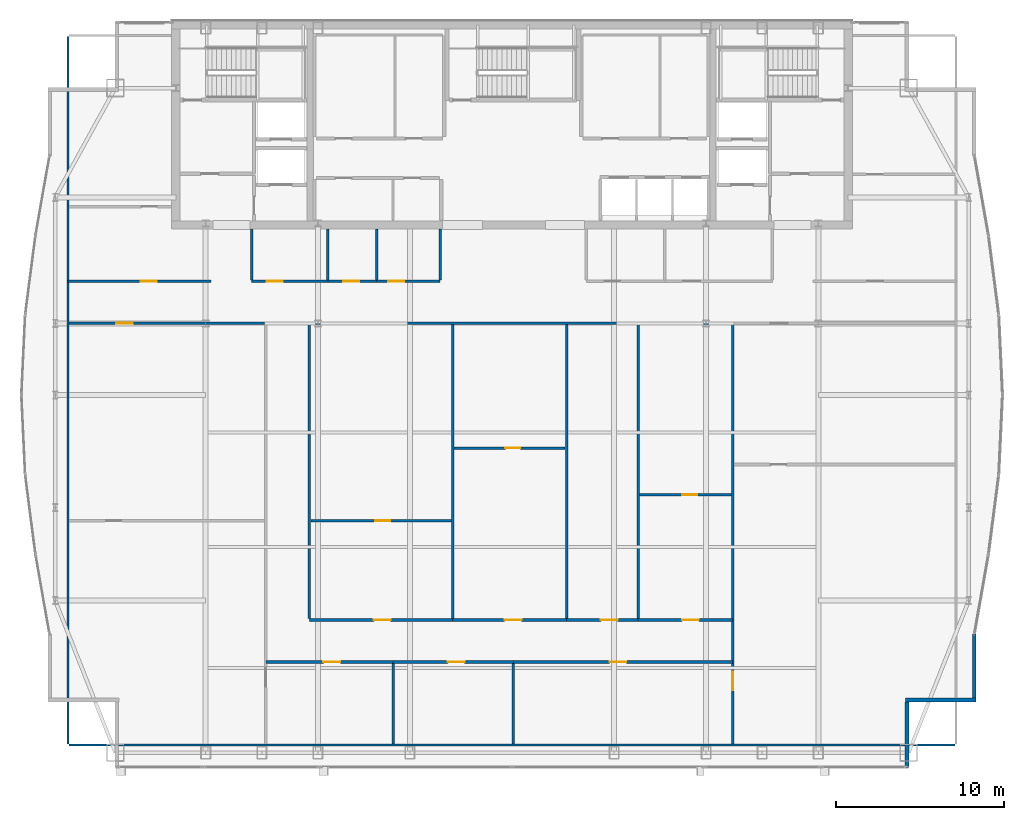
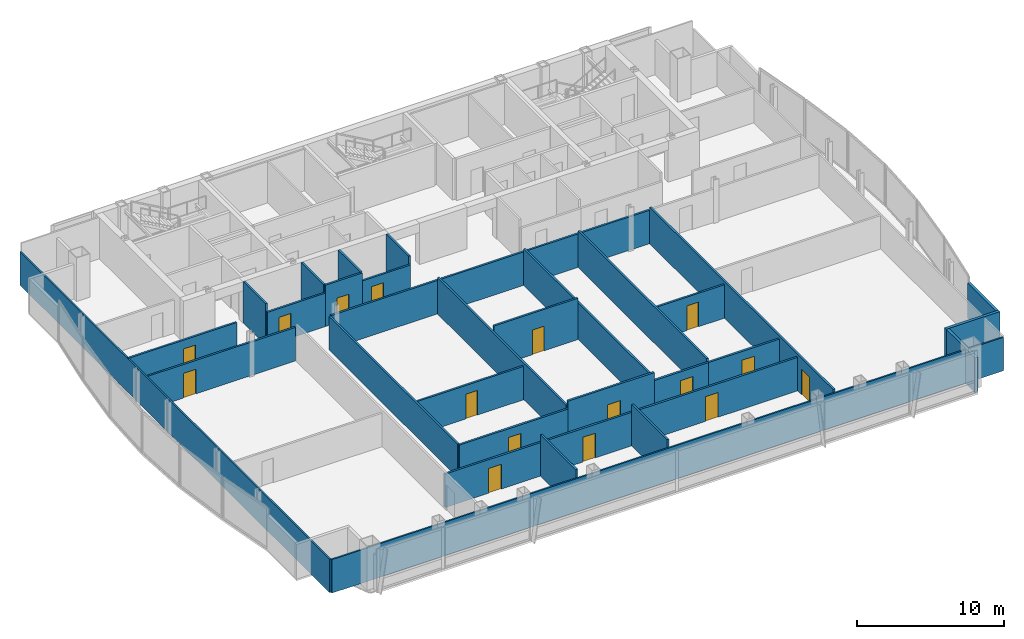
# One storey, part 25 of 30: 32 walls, 16 doors, 16 openings.
"""IFC4 building model written with IfcOpenShell, lengths in metres."""

from ifc_helpers import new_model, si_unit, direction, frame, frame_2d, origin, place, context, subcontext, project, spatial, rectangle, extrude, material, layer, layer_set, type_object, element, fill, save


model = new_model("IFC4")

# Units and contexts
model_context = context("Model", 3, precision=1e-05, world=origin(), true_north=direction((0.0, 1.0)))
body_context = subcontext(model_context, "Body", "Model", "MODEL_VIEW")
ifc_project = project(units=[si_unit("LENGTHUNIT", "METRE"), si_unit("AREAUNIT", "SQUARE_METRE"), si_unit("VOLUMEUNIT", "CUBIC_METRE"), si_unit("PLANEANGLEUNIT", "RADIAN"), si_unit("MASSUNIT", "GRAM", prefix="KILO")], contexts=[model_context])

# Site, building, storey
site_placement = place(None, origin())
site = spatial("IfcSite", under=ifc_project, at=site_placement, CompositionType="ELEMENT")
building_placement = place(site_placement, origin())
building = spatial("IfcBuilding", under=site, at=building_placement, Name="Khoronbel Lancet Exchange", CompositionType="ELEMENT")
storey_placement = place(building_placement, frame((0.0, 0.0, 277.0)))
storey = spatial("IfcBuildingStorey", under=building, at=storey_placement, Name="L71", CompositionType="ELEMENT", Elevation=277.0)

# Walls
ifc_material_1 = material(Name="Precast concrete C40/50", Category="concrete")
ifc_layer_1 = layer(ifc_material_1, 0.25, Name="Precast concrete C40/50")
ifc_layer_set_1 = layer_set([ifc_layer_1], Name="Precast concrete C40/50")
wall_type_1 = type_object("IfcWallType", Name="WL-EXT250", PredefinedType="SOLIDWALL", material=ifc_layer_set_1)
wall_1_placement = place(storey_placement, frame((63.9599609375, 17.227783203125, 0.0), z_axis=(0.0, 0.0, 1.0), x_axis=(0.0, -1.0, 0.0)))
element("IfcWall", 1, at=wall_1_placement, inside=storey, type_object=wall_type_1, Name="Level L71 notched-corner limestone pier 23", PredefinedType="SOLIDWALL", context=body_context, shape_type="SweptSolid", body=[
    extrude(rectangle(XDim=3.827880859375, YDim=0.219970703125, at=frame_2d((1.9140625, 0.0))), origin(), (0.0, 0.0, 1.0), 2.8798828125),
])
wall_2_placement = place(storey_placement, frame((64.070068359375, 13.2900390625, 0.0), z_axis=(0.0, 0.0, 1.0), x_axis=(-1.0, 0.0, 0.0)))
element("IfcWall", 2, at=wall_2_placement, inside=storey, type_object=wall_type_1, Name="Level L71 notched-corner limestone pier 24", PredefinedType="SOLIDWALL", context=body_context, shape_type="SweptSolid", body=[
    extrude(rectangle(XDim=4.219970703125, YDim=0.219970703125, at=frame_2d((2.10986328125, 0.0))), origin(), (0.0, 0.0, 1.0), 2.8798828125),
])
wall_3_placement = place(storey_placement, frame((59.9599609375, 13.179931640625, 0.0), z_axis=(0.0, 0.0, 1.0), x_axis=(0.0, -1.0, 0.0)))
element("IfcWall", 3, at=wall_3_placement, inside=storey, type_object=wall_type_1, Name="Level L71 notched-corner limestone pier 25", PredefinedType="SOLIDWALL", context=body_context, shape_type="SweptSolid", body=[
    extrude(rectangle(XDim=3.909912109375, YDim=0.219970703125, at=frame_2d((1.955078125, 0.0))), origin(), (0.0, 0.0, 1.0), 2.8798828125),
])
ifc_material_2 = material(Name="Acoustic Metal-Stud & Mineral-Wool Gypsum Partition 120 mm", Category="gypsum")
ifc_layer_2 = layer(ifc_material_2, 0.1201171875, Name="Acoustic Metal-Stud & Mineral-Wool Gypsum Partition 120 mm")
ifc_layer_set_2 = layer_set([ifc_layer_2], Name="Acoustic Metal-Stud & Mineral-Wool Gypsum Partition 120 mm")
wall_type_2 = type_object("IfcWallType", Name="WL-PRT120", PredefinedType="PARTITIONING", material=ifc_layer_set_2)
for number, where, z_axis, x_axis, name in (
    (4, (20.949951171875, 38.280029296875, 0.0), (0.0, 0.0, 1.0), (0.0, 1.0, 0.0), "Level L71 interior partition PW-WC-0"),
    (5, (25.5, 38.280029296875, 0.0), (0.0, 0.0, 1.0), (0.0, 1.0, 0.0), "Level L71 interior partition PW-WC-1"),
    (6, (28.39990234375, 38.280029296875, 0.0), (0.0, 0.0, 1.0), (0.0, 1.0, 0.0), "Level L71 interior partition PW-WC-2"),
    (7, (32.179931640625, 38.280029296875, 0.0), (0.0, 0.0, 1.0), (0.0, 1.0, 0.0), "Level L71 interior partition PW-WC-3"),
):
    element("IfcWall", number, at=place(storey_placement, frame(where, z_axis=z_axis, x_axis=x_axis)), inside=storey, type_object=wall_type_2, Name=name, PredefinedType="PARTITIONING", context=body_context, shape_type="SweptSolid", body=[
        extrude(rectangle(XDim=3.02001953125, YDim=0.14990234375, at=frame_2d((1.510009765625, 0.0))), origin(), (0.0, 0.0, 1.0), 3.43994140625),
    ])

# Wall, opening, door
wall_4_placement = place(storey_placement, frame((24.47998046875, 23.95068359375, 0.0), z_axis=(0.0, 0.0, 1.0), x_axis=(1.0, 0.0, 0.0)))
wall_4 = element("IfcWall", 8, at=wall_4_placement, inside=storey, type_object=wall_type_2, Name="Level L71 interior partition PW-Z4C-H1", PredefinedType="PARTITIONING", context=body_context, shape_type="SweptSolid", body=[
    extrude(rectangle(XDim=8.360107421875, YDim=0.14990234375, at=frame_2d((4.18017578125, 0.0))), origin(), (0.0, 0.0, 1.0), 2.780029296875),
])
opening_1_placement = place(wall_4_placement, frame((3.833984375, 0.0, 0.0)))
opening_1 = element("IfcOpeningElement", 9, at=opening_1_placement, cuts=wall_4, Name="Opening D5", PredefinedType="OPENING", context=body_context, shape_type="SweptSolid", body=[
    extrude(rectangle(XDim=0.89990234375, YDim=2.050048828125, at=frame_2d((0.449951171875, 1.02490234375))), frame((0.0, 0.0849609375, 0.0), z_axis=(0.0, -1.0, 0.0), x_axis=(1.0, 0.0, 0.0)), (0.0, 0.0, 1.0), 0.169921875),
])
ifc_material_3 = material(Name="Acoustic Timber Pantry & Support Door", Category="wood")
door_type_1 = type_object("IfcDoorType", Name="DR-D5", OperationType="NOTDEFINED", PredefinedType="DOOR", material=ifc_material_3)
door_1_placement = place(opening_1_placement, origin())
door_1 = element("IfcDoor", 10, at=door_1_placement, inside=storey, type_object=door_type_1, Name="Z4C inner door 1 L71-1", OperationType="SINGLE_SWING_RIGHT", OverallHeight=2.050048828125, OverallWidth=0.89990234375, PredefinedType="DOOR", context=body_context, shape_type="SweptSolid", body=[
    extrude(rectangle(XDim=0.89990234375, YDim=2.050048828125, at=frame_2d((0.449951171875, 1.02490234375))), frame((0.0, 0.02490234375, 0.0), z_axis=(0.0, -1.0, 0.0), x_axis=(1.0, 0.0, 0.0)), (0.0, 0.0, 1.0), 0.050048828125),
])
fill(opening_1, door_1)

wall_5_placement = place(storey_placement, frame((33.0, 28.2802734375, 0.0), z_axis=(0.0, 0.0, 1.0), x_axis=(1.0, 0.0, 0.0)))
wall_5 = element("IfcWall", 11, at=wall_5_placement, inside=storey, type_object=wall_type_2, Name="Level L71 interior partition PW-Z4C-H2", PredefinedType="PARTITIONING", context=body_context, shape_type="SweptSolid", body=[
    extrude(rectangle(XDim=6.6162109375, YDim=0.14990234375, at=frame_2d((3.30810546875, 0.0))), origin(), (0.0, 0.0, 1.0), 3.43994140625),
])
opening_2_placement = place(wall_5_placement, frame((3.04931640625, 0.0, 0.0)))
opening_2 = element("IfcOpeningElement", 12, at=opening_2_placement, cuts=wall_5, Name="Opening D5", PredefinedType="OPENING", context=body_context, shape_type="SweptSolid", body=[
    extrude(rectangle(XDim=0.89990234375, YDim=2.050048828125, at=frame_2d((0.449951171875, 1.02490234375))), frame((0.0, 0.0849609375, 0.0), z_axis=(0.0, -1.0, 0.0), x_axis=(1.0, 0.0, 0.0)), (0.0, 0.0, 1.0), 0.169921875),
])
door_2_placement = place(opening_2_placement, origin())
door_2 = element("IfcDoor", 13, at=door_2_placement, inside=storey, type_object=door_type_1, Name="Z4C inner door 2 L71-1", OperationType="SINGLE_SWING_RIGHT", OverallHeight=2.050048828125, OverallWidth=0.89990234375, PredefinedType="DOOR", context=body_context, shape_type="SweptSolid", body=[
    extrude(rectangle(XDim=0.89990234375, YDim=2.050048828125, at=frame_2d((0.449951171875, 1.02490234375))), frame((0.0, 0.02490234375, 0.0), z_axis=(0.0, -1.0, 0.0), x_axis=(1.0, 0.0, 0.0)), (0.0, 0.0, 1.0), 0.050048828125),
])
fill(opening_2, door_2)

wall_6_placement = place(storey_placement, frame((44.0361328125, 25.500732421875, 0.0), z_axis=(0.0, 0.0, 1.0), x_axis=(1.0, 0.0, 0.0)))
wall_6 = element("IfcWall", 14, at=wall_6_placement, inside=storey, type_object=wall_type_2, Name="Level L71 interior partition PW-Z4C-H4", PredefinedType="PARTITIONING", context=body_context, shape_type="SweptSolid", body=[
    extrude(rectangle(XDim=5.4638671875, YDim=0.14990234375, at=frame_2d((2.73193359375, 0.0))), origin(), (0.0, 0.0, 1.0), 2.780029296875),
])
opening_3_placement = place(wall_6_placement, frame((2.53076171875, 0.0, 0.0)))
opening_3 = element("IfcOpeningElement", 15, at=opening_3_placement, cuts=wall_6, Name="Opening D5", PredefinedType="OPENING", context=body_context, shape_type="SweptSolid", body=[
    extrude(rectangle(XDim=0.89990234375, YDim=2.050048828125, at=frame_2d((0.449951171875, 1.02490234375))), frame((0.0, 0.0849609375, 0.0), z_axis=(0.0, -1.0, 0.0), x_axis=(1.0, 0.0, 0.0)), (0.0, 0.0, 1.0), 0.169921875),
])
door_3_placement = place(opening_3_placement, origin())
door_3 = element("IfcDoor", 16, at=door_3_placement, inside=storey, type_object=door_type_1, Name="Z4C inner door 4 L71-1", OperationType="SINGLE_SWING_LEFT", OverallHeight=2.050048828125, OverallWidth=0.89990234375, PredefinedType="DOOR", context=body_context, shape_type="SweptSolid", body=[
    extrude(rectangle(XDim=0.89990234375, YDim=2.050048828125, at=frame_2d((0.449951171875, 1.02490234375))), frame((0.0, 0.02490234375, 0.0), z_axis=(0.0, -1.0, 0.0), x_axis=(1.0, 0.0, 0.0)), (0.0, 0.0, 1.0), 0.050048828125),
])
fill(opening_3, door_3)

# Walls
wall_7_placement = place(storey_placement, frame((10.030029296875, 10.6650390625, 0.0), z_axis=(0.0, 0.0, 1.0), x_axis=(0.0, 1.0, 0.0)))
element("IfcWall", 17, at=wall_7_placement, inside=storey, type_object=wall_type_2, Name="Level L71 interior partition PW-LIN-W", PredefinedType="PARTITIONING", context=body_context, shape_type="SweptSolid", body=[
    extrude(rectangle(XDim=42.10986328125, YDim=0.1201171875, at=frame_2d((21.054931640625, 0.0))), origin(), (0.0, 0.0, 1.0), 2.780029296875),
])
wall_8_placement = place(storey_placement, frame((10.094970703125, 10.60009765625, 0.0), z_axis=(0.0, 0.0, 1.0), x_axis=(1.0, 0.0, 0.0)))
element("IfcWall", 18, at=wall_8_placement, inside=storey, type_object=wall_type_2, Name="Level L71 interior partition PW-LIN-S", PredefinedType="PARTITIONING", context=body_context, shape_type="SweptSolid", body=[
    extrude(rectangle(XDim=52.7099609375, YDim=0.1201171875, at=frame_2d((26.35498046875, 0.0))), origin(), (0.0, 0.0, 1.0), 2.780029296875),
])

# Wall, opening, door
ifc_material_4 = material(Name="Fire-Rated Twin-Stud Acoustic Gypsum Partition 150 mm", Category="gypsum")
ifc_layer_3 = layer(ifc_material_4, 0.14990234375, Name="Fire-Rated Twin-Stud Acoustic Gypsum Partition 150 mm")
ifc_layer_set_3 = layer_set([ifc_layer_3], Name="Fire-Rated Twin-Stud Acoustic Gypsum Partition 150 mm")
wall_type_3 = type_object("IfcWallType", Name="WL-PRT150C", PredefinedType="PARTITIONING", material=ifc_layer_set_3)
wall_9_placement = place(storey_placement, frame((20.949951171875, 38.199951171875, 0.0), z_axis=(0.0, 0.0, 1.0), x_axis=(1.0, 0.0, 0.0)))
wall_9 = element("IfcWall", 19, at=wall_9_placement, inside=storey, type_object=wall_type_3, Name="Level L71 interior partition PW-WC-S1", PredefinedType="PARTITIONING", context=body_context, shape_type="SweptSolid", body=[
    extrude(rectangle(XDim=4.550048828125, YDim=0.14990234375, at=frame_2d((2.27490234375, 0.0))), origin(), (0.0, 0.0, 1.0), 2.780029296875),
])
opening_4_placement = place(wall_9_placement, frame((0.89990234375, 0.0, 0.0)))
opening_4 = element("IfcOpeningElement", 20, at=opening_4_placement, cuts=wall_9, Name="Opening D4", PredefinedType="OPENING", context=body_context, shape_type="SweptSolid", body=[
    extrude(rectangle(XDim=0.949951171875, YDim=2.050048828125, at=frame_2d((0.47509765625, 1.02490234375))), frame((0.0, 0.0849609375, 0.0), z_axis=(0.0, -1.0, 0.0), x_axis=(1.0, 0.0, 0.0)), (0.0, 0.0, 1.0), 0.169921875),
])
ifc_material_5 = material(Name="Moisture-Resistant HPL Washroom Door", Category="wood")
door_type_2 = type_object("IfcDoorType", Name="DR-D4", OperationType="NOTDEFINED", PredefinedType="DOOR", material=ifc_material_5)
door_4_placement = place(opening_4_placement, origin())
door_4 = element("IfcDoor", 21, at=door_4_placement, inside=storey, type_object=door_type_2, Name="Male washroom door L71-1", OperationType="SINGLE_SWING_RIGHT", OverallHeight=2.050048828125, OverallWidth=0.949951171875, PredefinedType="DOOR", context=body_context, shape_type="SweptSolid", body=[
    extrude(rectangle(XDim=0.949951171875, YDim=2.050048828125, at=frame_2d((0.47509765625, 1.02490234375))), frame((0.0, 0.02490234375, 0.0), z_axis=(0.0, -1.0, 0.0), x_axis=(1.0, 0.0, 0.0)), (0.0, 0.0, 1.0), 0.050048828125),
])
fill(opening_4, door_4)

wall_10_placement = place(storey_placement, frame((25.5, 38.199951171875, 0.0), z_axis=(0.0, 0.0, 1.0), x_axis=(1.0, 0.0, 0.0)))
wall_10 = element("IfcWall", 22, at=wall_10_placement, inside=storey, type_object=wall_type_3, Name="Level L71 interior partition PW-WC-S2", PredefinedType="PARTITIONING", context=body_context, shape_type="SweptSolid", body=[
    extrude(rectangle(XDim=2.89990234375, YDim=0.14990234375, at=frame_2d((1.449951171875, 0.0))), origin(), (0.0, 0.0, 1.0), 3.43994140625),
])
opening_5_placement = place(wall_10_placement, frame((0.89990234375, 0.0, 0.0)))
opening_5 = element("IfcOpeningElement", 23, at=opening_5_placement, cuts=wall_10, Name="Opening D4", PredefinedType="OPENING", context=body_context, shape_type="SweptSolid", body=[
    extrude(rectangle(XDim=0.949951171875, YDim=2.050048828125, at=frame_2d((0.47509765625, 1.02490234375))), frame((0.0, 0.0849609375, 0.0), z_axis=(0.0, -1.0, 0.0), x_axis=(1.0, 0.0, 0.0)), (0.0, 0.0, 1.0), 0.169921875),
])
door_5_placement = place(opening_5_placement, origin())
door_5 = element("IfcDoor", 24, at=door_5_placement, inside=storey, type_object=door_type_2, Name="Female washroom door L71-1", OperationType="SINGLE_SWING_LEFT", OverallHeight=2.050048828125, OverallWidth=0.949951171875, PredefinedType="DOOR", context=body_context, shape_type="SweptSolid", body=[
    extrude(rectangle(XDim=0.949951171875, YDim=2.050048828125, at=frame_2d((0.47509765625, 1.02490234375))), frame((0.0, 0.02490234375, 0.0), z_axis=(0.0, -1.0, 0.0), x_axis=(1.0, 0.0, 0.0)), (0.0, 0.0, 1.0), 0.050048828125),
])
fill(opening_5, door_5)

wall_11_placement = place(storey_placement, frame((28.39990234375, 38.199951171875, 0.0), z_axis=(0.0, 0.0, 1.0), x_axis=(1.0, 0.0, 0.0)))
wall_11 = element("IfcWall", 25, at=wall_11_placement, inside=storey, type_object=wall_type_3, Name="Level L71 interior partition PW-WC-S3", PredefinedType="PARTITIONING", context=body_context, shape_type="SweptSolid", body=[
    extrude(rectangle(XDim=3.780029296875, YDim=0.14990234375, at=frame_2d((1.89013671875, 0.0))), origin(), (0.0, 0.0, 1.0), 2.780029296875),
])
opening_6_placement = place(wall_11_placement, frame((0.699951171875, 0.0, 0.0)))
opening_6 = element("IfcOpeningElement", 26, at=opening_6_placement, cuts=wall_11, Name="Opening D4", PredefinedType="OPENING", context=body_context, shape_type="SweptSolid", body=[
    extrude(rectangle(XDim=0.949951171875, YDim=2.050048828125, at=frame_2d((0.47509765625, 1.02490234375))), frame((0.0, 0.0849609375, 0.0), z_axis=(0.0, -1.0, 0.0), x_axis=(1.0, 0.0, 0.0)), (0.0, 0.0, 1.0), 0.169921875),
])
door_6_placement = place(opening_6_placement, origin())
door_6 = element("IfcDoor", 27, at=door_6_placement, inside=storey, type_object=door_type_2, Name="Accessible WC door L71-1", OperationType="SINGLE_SWING_RIGHT", OverallHeight=2.050048828125, OverallWidth=0.949951171875, PredefinedType="DOOR", context=body_context, shape_type="SweptSolid", body=[
    extrude(rectangle(XDim=0.949951171875, YDim=2.050048828125, at=frame_2d((0.47509765625, 1.02490234375))), frame((0.0, 0.02490234375, 0.0), z_axis=(0.0, -1.0, 0.0), x_axis=(1.0, 0.0, 0.0)), (0.0, 0.0, 1.0), 0.050048828125),
])
fill(opening_6, door_6)

wall_12_placement = place(storey_placement, frame((10.030029296875, 38.199951171875, 0.0), z_axis=(0.0, 0.0, 1.0), x_axis=(1.0, 0.0, 0.0)))
wall_12 = element("IfcWall", 28, at=wall_12_placement, inside=storey, type_object=wall_type_3, Name="Level L71 interior partition PW-NW-S", PredefinedType="PARTITIONING", context=body_context, shape_type="SweptSolid", body=[
    extrude(rectangle(XDim=8.52001953125, YDim=0.14990234375, at=frame_2d((4.260009765625, 0.0))), origin(), (0.0, 0.0, 1.0), 2.780029296875),
])
opening_7_placement = place(wall_12_placement, frame((4.320068359375, 0.0, 0.0)))
opening_7 = element("IfcOpeningElement", 29, at=opening_7_placement, cuts=wall_12, Name="Opening D1", PredefinedType="OPENING", context=body_context, shape_type="SweptSolid", body=[
    extrude(rectangle(XDim=0.949951171875, YDim=2.050048828125, at=frame_2d((0.47509765625, 1.02490234375))), frame((0.0, 0.0849609375, 0.0), z_axis=(0.0, -1.0, 0.0), x_axis=(1.0, 0.0, 0.0)), (0.0, 0.0, 1.0), 0.169921875),
])
ifc_material_6 = material(Name="Acoustic Veneered Timber & Bronze Frame Door", Category="wood")
door_type_3 = type_object("IfcDoorType", Name="DR-D1", OperationType="NOTDEFINED", PredefinedType="DOOR", material=ifc_material_6)
door_7_placement = place(opening_7_placement, origin())
door_7 = element("IfcDoor", 30, at=door_7_placement, inside=storey, type_object=door_type_3, Name="NW corner room door L71-1", OperationType="SINGLE_SWING_LEFT", OverallHeight=2.050048828125, OverallWidth=0.949951171875, PredefinedType="DOOR", context=body_context, shape_type="SweptSolid", body=[
    extrude(rectangle(XDim=0.949951171875, YDim=2.050048828125, at=frame_2d((0.47509765625, 1.02490234375))), frame((0.0, 0.02490234375, 0.0), z_axis=(0.0, -1.0, 0.0), x_axis=(1.0, 0.0, 0.0)), (0.0, 0.0, 1.0), 0.050048828125),
])
fill(opening_7, door_7)

wall_13_placement = place(storey_placement, frame((10.094970703125, 35.699951171875, 0.0), z_axis=(0.0, 0.0, 1.0), x_axis=(1.0, 0.0, 0.0)))
wall_13 = element("IfcWall", 31, at=wall_13_placement, inside=storey, type_object=wall_type_3, Name="Level L71 interior partition PW-Z4-WN", PredefinedType="PARTITIONING", context=body_context, shape_type="SweptSolid", body=[
    extrude(rectangle(XDim=11.625, YDim=0.14990234375, at=frame_2d((5.8125, 0.0))), origin(), (0.0, 0.0, 1.0), 2.780029296875),
])
opening_8_placement = place(wall_13_placement, frame((2.800048828125, 0.0, 0.0)))
opening_8 = element("IfcOpeningElement", 32, at=opening_8_placement, cuts=wall_13, Name="Opening D2", PredefinedType="OPENING", context=body_context, shape_type="SweptSolid", body=[
    extrude(rectangle(XDim=1.0, YDim=2.050048828125, at=frame_2d((0.5, 1.02490234375))), frame((0.0, 0.0849609375, 0.0), z_axis=(0.0, -1.0, 0.0), x_axis=(1.0, 0.0, 0.0)), (0.0, 0.0, 1.0), 0.169921875),
])
door_type_4 = type_object("IfcDoorType", Name="DR-D2", OperationType="NOTDEFINED", PredefinedType="DOOR", material=ifc_material_6)
door_8_placement = place(opening_8_placement, origin())
door_8 = element("IfcDoor", 33, at=door_8_placement, inside=storey, type_object=door_type_4, Name="West lens north door L71-1", OperationType="SINGLE_SWING_RIGHT", OverallHeight=2.050048828125, OverallWidth=1.0, PredefinedType="DOOR", context=body_context, shape_type="SweptSolid", body=[
    extrude(rectangle(XDim=1.0, YDim=2.050048828125, at=frame_2d((0.5, 1.02490234375))), frame((0.0, 0.02490234375, 0.0), z_axis=(0.0, -1.0, 0.0), x_axis=(1.0, 0.0, 0.0)), (0.0, 0.0, 1.0), 0.050048828125),
])
fill(opening_8, door_8)

# Wall
wall_14_placement = place(storey_placement, frame((24.39990234375, 18.135009765625, 0.0), z_axis=(0.0, 0.0, 1.0), x_axis=(0.0, 1.0, 0.0)))
element("IfcWall", 34, at=wall_14_placement, inside=storey, type_object=wall_type_3, Name="Level L71 interior partition PW-Z4-WE", PredefinedType="PARTITIONING", context=body_context, shape_type="SweptSolid", body=[
    extrude(rectangle(XDim=17.485107421875, YDim=0.14990234375, at=frame_2d((8.74267578125, 0.0))), origin(), (0.0, 0.0, 1.0), 2.780029296875),
])

# Wall, opening, door
wall_15_placement = place(storey_placement, frame((49.580078125, 10.6650390625, 0.0), z_axis=(0.0, 0.0, 1.0), x_axis=(0.0, 1.0, 0.0)))
wall_15 = element("IfcWall", 35, at=wall_15_placement, inside=storey, type_object=wall_type_3, Name="Level L71 interior partition PW-Z4-PE", PredefinedType="PARTITIONING", context=body_context, shape_type="SweptSolid", body=[
    extrude(rectangle(XDim=24.955078125, YDim=0.14990234375, at=frame_2d((12.4775390625, 0.0))), origin(), (0.0, 0.0, 1.0), 3.030029296875),
])
opening_9_placement = place(wall_15_placement, frame((3.199951171875, 0.0, 0.0)))
opening_9 = element("IfcOpeningElement", 36, at=opening_9_placement, cuts=wall_15, Name="Opening D6", PredefinedType="OPENING", context=body_context, shape_type="SweptSolid", body=[
    extrude(rectangle(XDim=1.10009765625, YDim=2.10009765625, at=frame_2d((0.550048828125, 1.050048828125))), frame((0.0, 0.0849609375, 0.0), z_axis=(0.0, -1.0, 0.0), x_axis=(1.0, 0.0, 0.0)), (0.0, 0.0, 1.0), 0.169921875),
])
ifc_material_7 = material(Name="Acoustic Bronze-Veneer Executive Suite Door", Category="wood")
door_type_5 = type_object("IfcDoorType", Name="DR-D6", OperationType="NOTDEFINED", PredefinedType="DOOR", material=ifc_material_7)
door_9_placement = place(opening_9_placement, origin())
door_9 = element("IfcDoor", 37, at=door_9_placement, inside=storey, type_object=door_type_5, Name="East lens south door L71-1", OperationType="SINGLE_SWING_RIGHT", OverallHeight=2.10009765625, OverallWidth=1.10009765625, PredefinedType="DOOR", context=body_context, shape_type="SweptSolid", body=[
    extrude(rectangle(XDim=1.10009765625, YDim=2.10009765625, at=frame_2d((0.550048828125, 1.050048828125))), frame((0.0, 0.02490234375, 0.0), z_axis=(0.0, -1.0, 0.0), x_axis=(1.0, 0.0, 0.0)), (0.0, 0.0, 1.0), 0.050048828125),
])
fill(opening_9, door_9)

# Walls
wall_16_placement = place(storey_placement, frame((24.47998046875, 35.699951171875, 0.0), z_axis=(0.0, 0.0, 1.0), x_axis=(1.0, 0.0, 0.0)))
element("IfcWall", 38, at=wall_16_placement, inside=storey, type_object=wall_type_3, Name="Level L71 interior partition PW-Z4-EN1", PredefinedType="PARTITIONING", context=body_context, shape_type="SweptSolid", body=[
    extrude(rectangle(XDim=25.02001953125, YDim=0.14990234375, at=frame_2d((12.510009765625, 0.0))), origin(), (0.0, 0.0, 1.0), 2.780029296875),
])
for number, where, z_axis, x_axis, name in (
    (39, (32.919921875, 18.135009765625, 0.0), (0.0, 0.0, 1.0), (0.0, 1.0, 0.0), "Level L71 interior partition PW-Z4C-V1"),
    (40, (39.696044921875, 18.135009765625, 0.0), (0.0, 0.0, 1.0), (0.0, 1.0, 0.0), "Level L71 interior partition PW-Z4C-V2"),
    (41, (43.9560546875, 18.135009765625, 0.0), (0.0, 0.0, 1.0), (0.0, 1.0, 0.0), "Level L71 interior partition PW-Z4C-V3"),
):
    element("IfcWall", number, at=place(storey_placement, frame(where, z_axis=z_axis, x_axis=x_axis)), inside=storey, type_object=wall_type_3, Name=name, PredefinedType="PARTITIONING", context=body_context, shape_type="SweptSolid", body=[
        extrude(rectangle(XDim=17.485107421875, YDim=0.14990234375, at=frame_2d((8.74267578125, 0.0))), origin(), (0.0, 0.0, 1.0), 3.030029296875),
    ])
for number, where, z_axis, x_axis, name in (
    (42, (29.37646484375, 10.6650390625, 0.0), (0.0, 0.0, 1.0), (0.0, 1.0, 0.0), "Level L71 interior partition PW-Z4S-V1"),
    (43, (36.53173828125, 10.6650390625, 0.0), (0.0, 0.0, 1.0), (0.0, 1.0, 0.0), "Level L71 interior partition PW-Z4S-V2"),
):
    element("IfcWall", number, at=place(storey_placement, frame(where, z_axis=z_axis, x_axis=x_axis)), inside=storey, type_object=wall_type_3, Name=name, PredefinedType="PARTITIONING", context=body_context, shape_type="SweptSolid", body=[
        extrude(rectangle(XDim=4.800048828125, YDim=0.14990234375, at=frame_2d((2.39990234375, 0.0))), origin(), (0.0, 0.0, 1.0), 3.43994140625),
    ])

# Wall, opening, door
ifc_material_8 = material(Name="Fire-Rated Twin-Stud Acoustic Gypsum Partition 160 mm", Category="gypsum")
ifc_layer_4 = layer(ifc_material_8, 0.159912109375, Name="Fire-Rated Twin-Stud Acoustic Gypsum Partition 160 mm")
ifc_layer_set_4 = layer_set([ifc_layer_4], Name="Fire-Rated Twin-Stud Acoustic Gypsum Partition 160 mm")
wall_type_4 = type_object("IfcWallType", Name="WL-PRT160C", PredefinedType="PARTITIONING", material=ifc_layer_set_4)
wall_17_placement = place(storey_placement, frame((24.39990234375, 18.050048828125, 0.0), z_axis=(0.0, 0.0, 1.0), x_axis=(1.0, 0.0, 0.0)))
wall_17 = element("IfcWall", 44, at=wall_17_placement, inside=storey, type_object=wall_type_4, Name="Level L71 interior partition PW-Z4C-COR1", PredefinedType="PARTITIONING", context=body_context, shape_type="SweptSolid", body=[
    extrude(rectangle(XDim=8.52001953125, YDim=0.159912109375, at=frame_2d((4.260009765625, 0.0))), origin(), (0.0, 0.0, 1.0), 2.780029296875),
])
opening_10_placement = place(wall_17_placement, frame((3.828369140625, 0.0, 0.0)))
opening_10 = element("IfcOpeningElement", 45, at=opening_10_placement, cuts=wall_17, Name="Opening D2", PredefinedType="OPENING", context=body_context, shape_type="SweptSolid", body=[
    extrude(rectangle(XDim=1.0, YDim=2.050048828125, at=frame_2d((0.5, 1.02490234375))), frame((0.0, 0.08984375, 0.0), z_axis=(0.0, -1.0, 0.0), x_axis=(1.0, 0.0, 0.0)), (0.0, 0.0, 1.0), 0.179931640625),
])
door_10_placement = place(opening_10_placement, origin())
door_10 = element("IfcDoor", 46, at=door_10_placement, inside=storey, type_object=door_type_4, Name="Z4C bay 1 door L71-1", OperationType="SINGLE_SWING_LEFT", OverallHeight=2.050048828125, OverallWidth=1.0, PredefinedType="DOOR", context=body_context, shape_type="SweptSolid", body=[
    extrude(rectangle(XDim=1.0, YDim=2.050048828125, at=frame_2d((0.5, 1.02490234375))), frame((0.0, 0.02490234375, 0.0), z_axis=(0.0, -1.0, 0.0), x_axis=(1.0, 0.0, 0.0)), (0.0, 0.0, 1.0), 0.050048828125),
])
fill(opening_10, door_10)

wall_18_placement = place(storey_placement, frame((32.919921875, 18.050048828125, 0.0), z_axis=(0.0, 0.0, 1.0), x_axis=(1.0, 0.0, 0.0)))
wall_18 = element("IfcWall", 47, at=wall_18_placement, inside=storey, type_object=wall_type_4, Name="Level L71 interior partition PW-Z4C-COR2", PredefinedType="PARTITIONING", context=body_context, shape_type="SweptSolid", body=[
    extrude(rectangle(XDim=6.776123046875, YDim=0.159912109375, at=frame_2d((3.38818359375, 0.0))), origin(), (0.0, 0.0, 1.0), 3.43994140625),
])
opening_11_placement = place(wall_18_placement, frame((3.095947265625, 0.0, 0.0)))
opening_11 = element("IfcOpeningElement", 48, at=opening_11_placement, cuts=wall_18, Name="Opening D2", PredefinedType="OPENING", context=body_context, shape_type="SweptSolid", body=[
    extrude(rectangle(XDim=1.0, YDim=2.050048828125, at=frame_2d((0.5, 1.02490234375))), frame((0.0, 0.08984375, 0.0), z_axis=(0.0, -1.0, 0.0), x_axis=(1.0, 0.0, 0.0)), (0.0, 0.0, 1.0), 0.179931640625),
])
door_11_placement = place(opening_11_placement, origin())
door_11 = element("IfcDoor", 49, at=door_11_placement, inside=storey, type_object=door_type_4, Name="Z4C bay 2 door L71-1", OperationType="SINGLE_SWING_LEFT", OverallHeight=2.050048828125, OverallWidth=1.0, PredefinedType="DOOR", context=body_context, shape_type="SweptSolid", body=[
    extrude(rectangle(XDim=1.0, YDim=2.050048828125, at=frame_2d((0.5, 1.02490234375))), frame((0.0, 0.02490234375, 0.0), z_axis=(0.0, -1.0, 0.0), x_axis=(1.0, 0.0, 0.0)), (0.0, 0.0, 1.0), 0.050048828125),
])
fill(opening_11, door_11)

wall_19_placement = place(storey_placement, frame((39.696044921875, 18.050048828125, 0.0), z_axis=(0.0, 0.0, 1.0), x_axis=(1.0, 0.0, 0.0)))
wall_19 = element("IfcWall", 50, at=wall_19_placement, inside=storey, type_object=wall_type_4, Name="Level L71 interior partition PW-Z4C-COR3", PredefinedType="PARTITIONING", context=body_context, shape_type="SweptSolid", body=[
    extrude(rectangle(XDim=4.260009765625, YDim=0.159912109375, at=frame_2d((2.1298828125, 0.0))), origin(), (0.0, 0.0, 1.0), 2.780029296875),
])
opening_12_placement = place(wall_19_placement, frame((2.039306640625, 0.0, 0.0)))
opening_12 = element("IfcOpeningElement", 51, at=opening_12_placement, cuts=wall_19, Name="Opening D2", PredefinedType="OPENING", context=body_context, shape_type="SweptSolid", body=[
    extrude(rectangle(XDim=1.0, YDim=2.050048828125, at=frame_2d((0.5, 1.02490234375))), frame((0.0, 0.08984375, 0.0), z_axis=(0.0, -1.0, 0.0), x_axis=(1.0, 0.0, 0.0)), (0.0, 0.0, 1.0), 0.179931640625),
])
door_12_placement = place(opening_12_placement, origin())
door_12 = element("IfcDoor", 52, at=door_12_placement, inside=storey, type_object=door_type_4, Name="Z4C bay 3 door L71-1", OperationType="SINGLE_SWING_LEFT", OverallHeight=2.050048828125, OverallWidth=1.0, PredefinedType="DOOR", context=body_context, shape_type="SweptSolid", body=[
    extrude(rectangle(XDim=1.0, YDim=2.050048828125, at=frame_2d((0.5, 1.02490234375))), frame((0.0, 0.02490234375, 0.0), z_axis=(0.0, -1.0, 0.0), x_axis=(1.0, 0.0, 0.0)), (0.0, 0.0, 1.0), 0.050048828125),
])
fill(opening_12, door_12)

wall_20_placement = place(storey_placement, frame((43.9560546875, 18.050048828125, 0.0), z_axis=(0.0, 0.0, 1.0), x_axis=(1.0, 0.0, 0.0)))
wall_20 = element("IfcWall", 53, at=wall_20_placement, inside=storey, type_object=wall_type_4, Name="Level L71 interior partition PW-Z4C-COR4", PredefinedType="PARTITIONING", context=body_context, shape_type="SweptSolid", body=[
    extrude(rectangle(XDim=5.6240234375, YDim=0.159912109375, at=frame_2d((2.81201171875, 0.0))), origin(), (0.0, 0.0, 1.0), 2.780029296875),
])
opening_13_placement = place(wall_20_placement, frame((2.612060546875, 0.0, 0.0)))
opening_13 = element("IfcOpeningElement", 54, at=opening_13_placement, cuts=wall_20, Name="Opening D2", PredefinedType="OPENING", context=body_context, shape_type="SweptSolid", body=[
    extrude(rectangle(XDim=1.0, YDim=2.050048828125, at=frame_2d((0.5, 1.02490234375))), frame((0.0, 0.08984375, 0.0), z_axis=(0.0, -1.0, 0.0), x_axis=(1.0, 0.0, 0.0)), (0.0, 0.0, 1.0), 0.179931640625),
])
door_13_placement = place(opening_13_placement, origin())
door_13 = element("IfcDoor", 55, at=door_13_placement, inside=storey, type_object=door_type_4, Name="Z4C bay 4 door L71-1", OperationType="SINGLE_SWING_RIGHT", OverallHeight=2.050048828125, OverallWidth=1.0, PredefinedType="DOOR", context=body_context, shape_type="SweptSolid", body=[
    extrude(rectangle(XDim=1.0, YDim=2.050048828125, at=frame_2d((0.5, 1.02490234375))), frame((0.0, 0.02490234375, 0.0), z_axis=(0.0, -1.0, 0.0), x_axis=(1.0, 0.0, 0.0)), (0.0, 0.0, 1.0), 0.050048828125),
])
fill(opening_13, door_13)

wall_21_placement = place(storey_placement, frame((21.800048828125, 15.550048828125, 0.0), z_axis=(0.0, 0.0, 1.0), x_axis=(1.0, 0.0, 0.0)))
wall_21 = element("IfcWall", 56, at=wall_21_placement, inside=storey, type_object=wall_type_4, Name="Level L71 interior partition PW-Z4S-COR1", PredefinedType="PARTITIONING", context=body_context, shape_type="SweptSolid", body=[
    extrude(rectangle(XDim=7.576416015625, YDim=0.159912109375, at=frame_2d((3.7880859375, 0.0))), origin(), (0.0, 0.0, 1.0), 2.780029296875),
])
opening_14_placement = place(wall_21_placement, frame((3.43212890625, 0.0, 0.0)))
opening_14 = element("IfcOpeningElement", 57, at=opening_14_placement, cuts=wall_21, Name="Opening D2", PredefinedType="OPENING", context=body_context, shape_type="SweptSolid", body=[
    extrude(rectangle(XDim=1.0, YDim=2.050048828125, at=frame_2d((0.5, 1.02490234375))), frame((0.0, 0.08984375, 0.0), z_axis=(0.0, -1.0, 0.0), x_axis=(1.0, 0.0, 0.0)), (0.0, 0.0, 1.0), 0.179931640625),
])
door_14_placement = place(opening_14_placement, origin())
door_14 = element("IfcDoor", 58, at=door_14_placement, inside=storey, type_object=door_type_4, Name="Z4S bay 1 door L71-1", OperationType="SINGLE_SWING_RIGHT", OverallHeight=2.050048828125, OverallWidth=1.0, PredefinedType="DOOR", context=body_context, shape_type="SweptSolid", body=[
    extrude(rectangle(XDim=1.0, YDim=2.050048828125, at=frame_2d((0.5, 1.02490234375))), frame((0.0, 0.02490234375, 0.0), z_axis=(0.0, -1.0, 0.0), x_axis=(1.0, 0.0, 0.0)), (0.0, 0.0, 1.0), 0.050048828125),
])
fill(opening_14, door_14)

wall_22_placement = place(storey_placement, frame((29.37646484375, 15.550048828125, 0.0), z_axis=(0.0, 0.0, 1.0), x_axis=(1.0, 0.0, 0.0)))
wall_22 = element("IfcWall", 59, at=wall_22_placement, inside=storey, type_object=wall_type_4, Name="Level L71 interior partition PW-Z4S-COR2", PredefinedType="PARTITIONING", context=body_context, shape_type="SweptSolid", body=[
    extrude(rectangle(XDim=7.1552734375, YDim=0.159912109375, at=frame_2d((3.57763671875, 0.0))), origin(), (0.0, 0.0, 1.0), 2.780029296875),
])
opening_15_placement = place(wall_22_placement, frame((3.25537109375, 0.0, 0.0)))
opening_15 = element("IfcOpeningElement", 60, at=opening_15_placement, cuts=wall_22, Name="Opening D2", PredefinedType="OPENING", context=body_context, shape_type="SweptSolid", body=[
    extrude(rectangle(XDim=1.0, YDim=2.050048828125, at=frame_2d((0.5, 1.02490234375))), frame((0.0, 0.08984375, 0.0), z_axis=(0.0, -1.0, 0.0), x_axis=(1.0, 0.0, 0.0)), (0.0, 0.0, 1.0), 0.179931640625),
])
door_15_placement = place(opening_15_placement, origin())
door_15 = element("IfcDoor", 61, at=door_15_placement, inside=storey, type_object=door_type_4, Name="Z4S bay 2 door L71-1", OperationType="SINGLE_SWING_LEFT", OverallHeight=2.050048828125, OverallWidth=1.0, PredefinedType="DOOR", context=body_context, shape_type="SweptSolid", body=[
    extrude(rectangle(XDim=1.0, YDim=2.050048828125, at=frame_2d((0.5, 1.02490234375))), frame((0.0, 0.02490234375, 0.0), z_axis=(0.0, -1.0, 0.0), x_axis=(1.0, 0.0, 0.0)), (0.0, 0.0, 1.0), 0.050048828125),
])
fill(opening_15, door_15)

wall_23_placement = place(storey_placement, frame((36.53173828125, 15.550048828125, 0.0), z_axis=(0.0, 0.0, 1.0), x_axis=(1.0, 0.0, 0.0)))
wall_23 = element("IfcWall", 62, at=wall_23_placement, inside=storey, type_object=wall_type_4, Name="Level L71 interior partition PW-Z4S-COR3", PredefinedType="PARTITIONING", context=body_context, shape_type="SweptSolid", body=[
    extrude(rectangle(XDim=13.04833984375, YDim=0.159912109375, at=frame_2d((6.524169921875, 0.0))), origin(), (0.0, 0.0, 1.0), 2.780029296875),
])
opening_16_placement = place(wall_23_placement, frame((5.730224609375, 0.0, 0.0)))
opening_16 = element("IfcOpeningElement", 63, at=opening_16_placement, cuts=wall_23, Name="Opening D2", PredefinedType="OPENING", context=body_context, shape_type="SweptSolid", body=[
    extrude(rectangle(XDim=1.0, YDim=2.050048828125, at=frame_2d((0.5, 1.02490234375))), frame((0.0, 0.08984375, 0.0), z_axis=(0.0, -1.0, 0.0), x_axis=(1.0, 0.0, 0.0)), (0.0, 0.0, 1.0), 0.179931640625),
])
door_16_placement = place(opening_16_placement, origin())
door_16 = element("IfcDoor", 64, at=door_16_placement, inside=storey, type_object=door_type_4, Name="Z4S bay 3 door L71-1", OperationType="SINGLE_SWING_RIGHT", OverallHeight=2.050048828125, OverallWidth=1.0, PredefinedType="DOOR", context=body_context, shape_type="SweptSolid", body=[
    extrude(rectangle(XDim=1.0, YDim=2.050048828125, at=frame_2d((0.5, 1.02490234375))), frame((0.0, 0.02490234375, 0.0), z_axis=(0.0, -1.0, 0.0), x_axis=(1.0, 0.0, 0.0)), (0.0, 0.0, 1.0), 0.050048828125),
])
fill(opening_16, door_16)

save(model, "model.ifc")
